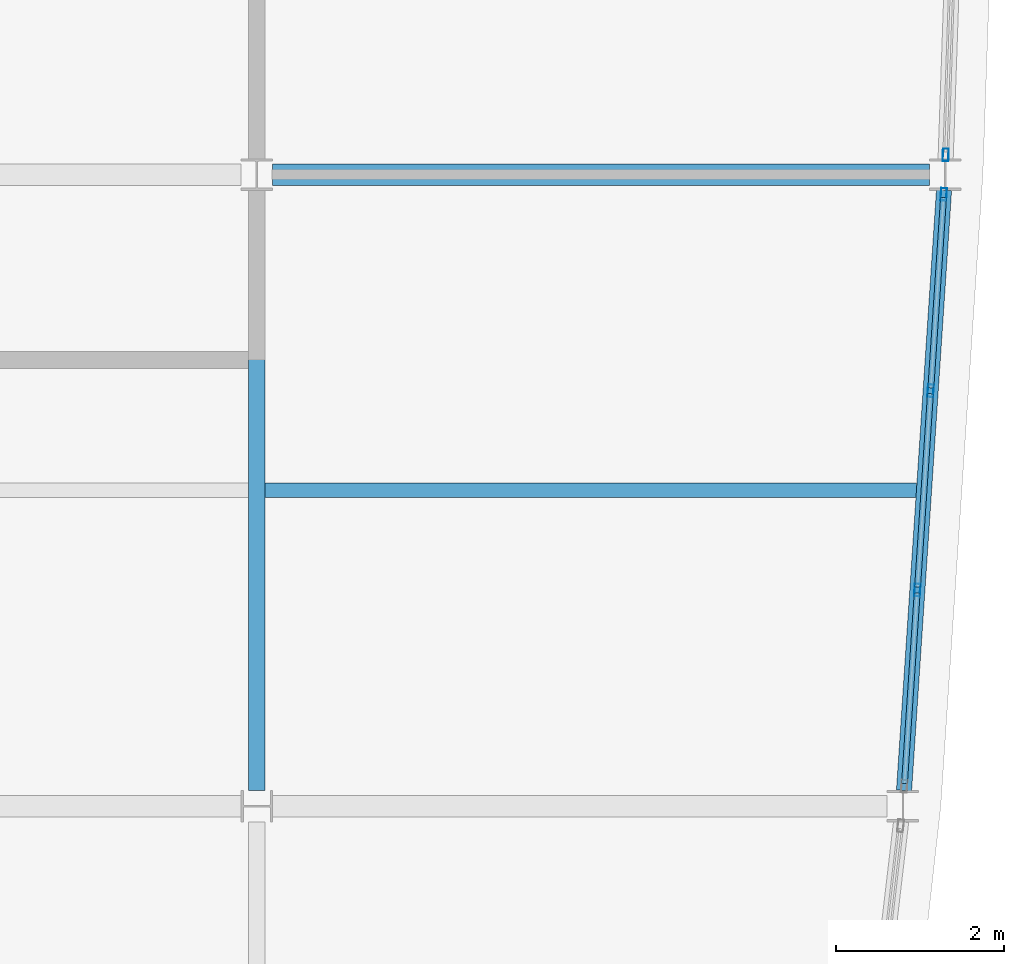
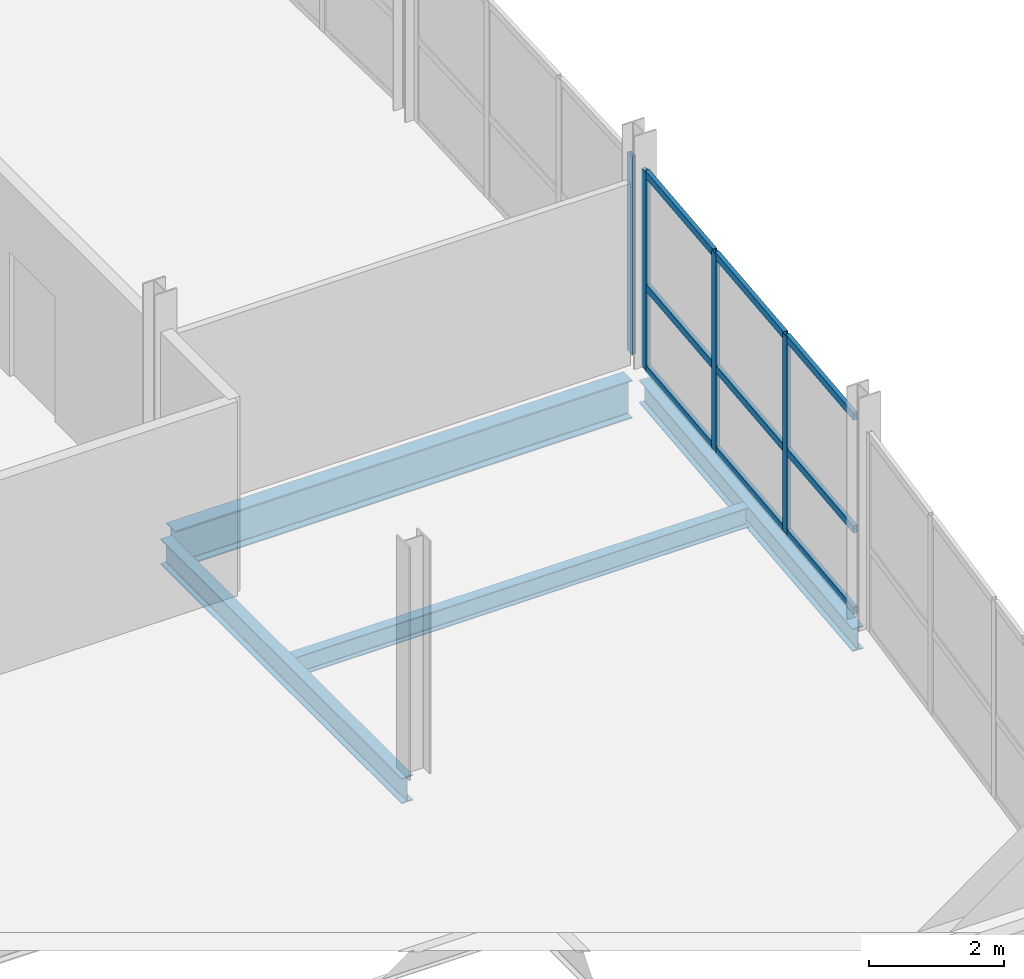
# One storey, part 3 of 20: 13 members, 4 beams, 2 elements without a shape of their own.
"""IFC4 building model written with IfcOpenShell, lengths in metres."""

from ifc_helpers import new_model, si_unit, direction, frame, origin, origin_2d, place, context, subcontext, project, spatial, hollow_rectangle, i_section, extrude, material, layer, layer_set, material_profile, profile_set, type_object, element, aggregate, save


model = new_model("IFC4")

# Units and contexts
model_context = context("Model", 3, precision=1e-05, world=origin(), true_north=direction((0.0, 1.0)))
body_context = subcontext(model_context, "Body", "Model", "MODEL_VIEW")
ifc_project = project(units=[si_unit("LENGTHUNIT", "METRE"), si_unit("AREAUNIT", "SQUARE_METRE"), si_unit("VOLUMEUNIT", "CUBIC_METRE"), si_unit("PLANEANGLEUNIT", "RADIAN"), si_unit("MASSUNIT", "GRAM", prefix="KILO")], contexts=[model_context])

# Site, building, storey
site_placement = place(None, origin())
site = spatial("IfcSite", under=ifc_project, at=site_placement, CompositionType="ELEMENT")
building_placement = place(site_placement, origin())
building = spatial("IfcBuilding", under=site, at=building_placement, Name="Quillay Park Conservatory", CompositionType="ELEMENT")
storey_placement = place(building_placement, frame((0.0, 0.0, 26.699951171875)))
storey = spatial("IfcBuildingStorey", under=building, at=storey_placement, Name="L06", CompositionType="ELEMENT", Elevation=26.699951171875)

# Beam
ifc_material_1 = material(Name="Steel ASTM A992 Grade 50", Category="steel")
ifc_material_profile_1 = material_profile(ifc_material_1, i_section(OverallWidth=0.172119140625, OverallDepth=0.35791015625, WebThickness=0.0078125, FlangeThickness=0.01318359375, FilletRadius=0.010986328125, at=origin_2d()), Name="W360x57")
ifc_profile_set_1 = profile_set([ifc_material_profile_1], Name="Steel ASTM A992 Grade 50")
beam_type_1 = type_object("IfcBeamType", Name="COMPOSITE FLOOR JOIST W360 X57", PredefinedType="JOIST", material=ifc_profile_set_1)
beam_1_placement = place(storey_placement, frame((19.845947265625, 74.25, -0.39892578125), z_axis=(1.0, 0.0, 0.0), x_axis=(0.0, 1.0, 0.0)))
element("IfcBeam", 1, at=beam_1_placement, inside=storey, type_object=beam_type_1, Name="L06 beam BM-J-0482", PredefinedType="JOIST", context=body_context, shape_type="SweptSolid", body=[
    extrude(i_section(OverallWidth=0.172119140625, OverallDepth=0.35791015625, WebThickness=0.0078125, FlangeThickness=0.01318359375, FilletRadius=0.010986328125, at=origin_2d()), origin(), (0.0, 0.0, 1.0), 7.739013671875),
])

# Curtain wall, members
ifc_material_2 = material(Name="Thermally Broken Anodised Aluminium 6063-T6", Category="aluminium")
ifc_layer = layer(ifc_material_2, 0.199951171875)
ifc_layer_set = layer_set([ifc_layer], Name="UNITISED CURTAIN WALL HERBARIUM (Thermally Broken Anodised Aluminium 6063-T6)")
curtain_wall_type = type_object("IfcCurtainWallType", Name="UNITISED CURTAIN WALL HERBARIUM", PredefinedType="USERDEFINED", material=ifc_layer_set)
curtain_wall_1_placement = place(storey_placement, origin())
curtain_wall_1 = element("IfcCurtainWall", 2, at=curtain_wall_1_placement, inside=storey, type_object=curtain_wall_type, Name="L06 Unitised Curtain Wall 059", ObjectType="UNITISED CURTAIN WALL", PredefinedType="USERDEFINED")
ifc_material_3 = material(Name="Thermally Broken Anodised Aluminium 6063-T6", Category="aluminium")
ifc_material_profile_2 = material_profile(ifc_material_3, hollow_rectangle(XDim=0.070068359375, YDim=0.14990234375, WallThickness=0.00341796875, at=origin_2d()), Name="AL70x150x3.5")
ifc_profile_set_2 = profile_set([ifc_material_profile_2], Name="Thermally Broken Anodised Aluminium 6063-T6")
member_type_1 = type_object("IfcMemberType", Name="CURTAIN WALL MULLION 70 X150", PredefinedType="MULLION", material=ifc_profile_set_2)
member_1_placement = place(storey_placement, frame((27.909423828125, 77.765380859375, 0.0), z_axis=(0.0, 0.0, 1.0), x_axis=(0.997785033503, -0.0665208758, 0.0)))
member_1 = element("IfcMember", 3, at=member_1_placement, type_object=member_type_1, Name="CW-T2 mullion 1", PredefinedType="MULLION", context=body_context, shape_type="SweptSolid", body=[
    extrude(hollow_rectangle(XDim=0.070068359375, YDim=0.14990234375, WallThickness=0.00341796875, at=origin_2d()), origin(), (0.0, 0.0, 1.0), 3.569091796875),
])
member_2_placement = place(storey_placement, frame((27.75390625, 75.433349609375, 0.0), z_axis=(0.0, 0.0, 1.0), x_axis=(0.997785033503, -0.0665208758, 0.0)))
member_2 = element("IfcMember", 4, at=member_2_placement, type_object=member_type_1, Name="CW-T2 mullion 2", PredefinedType="MULLION", context=body_context, shape_type="SweptSolid", body=[
    extrude(hollow_rectangle(XDim=0.070068359375, YDim=0.14990234375, WallThickness=0.00341796875, at=origin_2d()), origin(), (0.0, 0.0, 1.0), 3.569091796875),
])
member_3_placement = place(storey_placement, frame((27.59619140625, 73.066650390625, 0.0), z_axis=(0.0, 0.0, 1.0), x_axis=(0.997785033503, -0.0665208758, 0.0)))
member_3 = element("IfcMember", 5, at=member_3_placement, type_object=member_type_1, Name="CW-T2 mullion 3", PredefinedType="MULLION", context=body_context, shape_type="SweptSolid", body=[
    extrude(hollow_rectangle(XDim=0.070068359375, YDim=0.14990234375, WallThickness=0.00341796875, at=origin_2d()), origin(), (0.0, 0.0, 1.0), 3.569091796875),
])

# Curtain wall, member
curtain_wall_2_placement = place(storey_placement, origin())
curtain_wall_2 = element("IfcCurtainWall", 6, at=curtain_wall_2_placement, inside=storey, type_object=curtain_wall_type, Name="L06 Unitised Curtain Wall 060", ObjectType="UNITISED CURTAIN WALL", PredefinedType="USERDEFINED")
member_4_placement = place(storey_placement, frame((27.93310546875, 78.23486328125, 0.0), z_axis=(0.0, 0.0, 1.0), x_axis=(0.999397310446, -0.034713338537, 0.0)))
member_4 = element("IfcMember", 7, at=member_4_placement, type_object=member_type_1, Name="CW-T2 mullion 4", PredefinedType="MULLION", context=body_context, shape_type="SweptSolid", body=[
    extrude(hollow_rectangle(XDim=0.070068359375, YDim=0.14990234375, WallThickness=0.00341796875, at=origin_2d()), origin(), (0.0, 0.0, 1.0), 3.569091796875),
])
aggregate(curtain_wall_2, [member_4])

# Member
ifc_material_4 = material(Name="Thermally Broken Anodised Aluminium 6063-T6", Category="aluminium")
ifc_material_profile_3 = material_profile(ifc_material_4, hollow_rectangle(XDim=0.070068359375, YDim=0.1298828125, WallThickness=0.003173828125, at=origin_2d()), Name="AL70x130x3.2")
ifc_profile_set_3 = profile_set([ifc_material_profile_3], Name="Thermally Broken Anodised Aluminium 6063-T6")
member_type_2 = type_object("IfcMemberType", Name="CURTAIN WALL TRANSOM 70 X130", PredefinedType="USERDEFINED", material=ifc_profile_set_3)
member_5_placement = place(storey_placement, frame((27.906982421875, 77.73046875, 0.03515625), z_axis=(-0.066447531676, -0.997789920542, 0.0), x_axis=(0.997789920542, -0.066447531676, 0.0)))
member_5 = element("IfcMember", 8, at=member_5_placement, type_object=member_type_2, Name="CW-T2 transom 1.1", ObjectType="TRANSOM", PredefinedType="USERDEFINED", context=body_context, shape_type="SweptSolid", body=[
    extrude(hollow_rectangle(XDim=0.070068359375, YDim=0.1298828125, WallThickness=0.003173828125, at=origin_2d()), origin(), (0.0, 0.0, 1.0), 2.26708984375),
])

member_6_placement = place(storey_placement, frame((27.906982421875, 77.73046875, 1.4990234375), z_axis=(-0.066447531676, -0.997789920542, 0.0), x_axis=(0.997789920542, -0.066447531676, 0.0)))
member_6 = element("IfcMember", 9, at=member_6_placement, type_object=member_type_2, Name="CW-T2 transom 1.2", ObjectType="TRANSOM", PredefinedType="USERDEFINED", context=body_context, shape_type="SweptSolid", body=[
    extrude(hollow_rectangle(XDim=0.070068359375, YDim=0.1298828125, WallThickness=0.003173828125, at=origin_2d()), origin(), (0.0, 0.0, 1.0), 2.26708984375),
])

member_7_placement = place(storey_placement, frame((27.906982421875, 77.73046875, 3.533935546875), z_axis=(-0.066447531676, -0.997789920542, 0.0), x_axis=(0.997789920542, -0.066447531676, 0.0)))
member_7 = element("IfcMember", 10, at=member_7_placement, type_object=member_type_2, Name="CW-T2 transom 1.3", ObjectType="TRANSOM", PredefinedType="USERDEFINED", context=body_context, shape_type="SweptSolid", body=[
    extrude(hollow_rectangle(XDim=0.070068359375, YDim=0.1298828125, WallThickness=0.003173828125, at=origin_2d()), origin(), (0.0, 0.0, 1.0), 2.26708984375),
])

member_8_placement = place(storey_placement, frame((27.75146484375, 75.3984375, 0.03515625), z_axis=(-0.066497892916, -0.997786565473, 0.0), x_axis=(0.997786565473, -0.066497892916, 0.0)))
member_8 = element("IfcMember", 11, at=member_8_placement, type_object=member_type_2, Name="CW-T2 transom 2.1", ObjectType="TRANSOM", PredefinedType="USERDEFINED", context=body_context, shape_type="SweptSolid", body=[
    extrude(hollow_rectangle(XDim=0.070068359375, YDim=0.1298828125, WallThickness=0.003173828125, at=origin_2d()), origin(), (0.0, 0.0, 1.0), 2.302001953125),
])

member_9_placement = place(storey_placement, frame((27.75146484375, 75.3984375, 1.4990234375), z_axis=(-0.066497892916, -0.997786565473, 0.0), x_axis=(0.997786565473, -0.066497892916, 0.0)))
member_9 = element("IfcMember", 12, at=member_9_placement, type_object=member_type_2, Name="CW-T2 transom 2.2", ObjectType="TRANSOM", PredefinedType="USERDEFINED", context=body_context, shape_type="SweptSolid", body=[
    extrude(hollow_rectangle(XDim=0.070068359375, YDim=0.1298828125, WallThickness=0.003173828125, at=origin_2d()), origin(), (0.0, 0.0, 1.0), 2.302001953125),
])

member_10_placement = place(storey_placement, frame((27.75146484375, 75.3984375, 3.533935546875), z_axis=(-0.066497892916, -0.997786565473, 0.0), x_axis=(0.997786565473, -0.066497892916, 0.0)))
member_10 = element("IfcMember", 13, at=member_10_placement, type_object=member_type_2, Name="CW-T2 transom 2.3", ObjectType="TRANSOM", PredefinedType="USERDEFINED", context=body_context, shape_type="SweptSolid", body=[
    extrude(hollow_rectangle(XDim=0.070068359375, YDim=0.1298828125, WallThickness=0.003173828125, at=origin_2d()), origin(), (0.0, 0.0, 1.0), 2.302001953125),
])

member_11_placement = place(storey_placement, frame((27.59375, 73.031494140625, 0.03515625), z_axis=(-0.066554749564, -0.997782774611, 0.0), x_axis=(0.997782774611, -0.066554749564, 0.0)))
member_11 = element("IfcMember", 14, at=member_11_placement, type_object=member_type_2, Name="CW-T2 transom 3.1", ObjectType="TRANSOM", PredefinedType="USERDEFINED", context=body_context, shape_type="SweptSolid", body=[
    extrude(hollow_rectangle(XDim=0.070068359375, YDim=0.1298828125, WallThickness=0.003173828125, at=origin_2d()), origin(), (0.0, 0.0, 1.0), 2.26708984375),
])

member_12_placement = place(storey_placement, frame((27.59375, 73.031494140625, 1.4990234375), z_axis=(-0.066554749564, -0.997782774611, 0.0), x_axis=(0.997782774611, -0.066554749564, 0.0)))
member_12 = element("IfcMember", 15, at=member_12_placement, type_object=member_type_2, Name="CW-T2 transom 3.2", ObjectType="TRANSOM", PredefinedType="USERDEFINED", context=body_context, shape_type="SweptSolid", body=[
    extrude(hollow_rectangle(XDim=0.070068359375, YDim=0.1298828125, WallThickness=0.003173828125, at=origin_2d()), origin(), (0.0, 0.0, 1.0), 2.26708984375),
])

member_13_placement = place(storey_placement, frame((27.59375, 73.031494140625, 3.533935546875), z_axis=(-0.066554749564, -0.997782774611, 0.0), x_axis=(0.997782774611, -0.066554749564, 0.0)))
member_13 = element("IfcMember", 16, at=member_13_placement, type_object=member_type_2, Name="CW-T2 transom 3.3", ObjectType="TRANSOM", PredefinedType="USERDEFINED", context=body_context, shape_type="SweptSolid", body=[
    extrude(hollow_rectangle(XDim=0.070068359375, YDim=0.1298828125, WallThickness=0.003173828125, at=origin_2d()), origin(), (0.0, 0.0, 1.0), 2.26708984375),
])

aggregate(curtain_wall_1, [member_1, member_2, member_3, member_5, member_6, member_7, member_8, member_9, member_10, member_11, member_12, member_13])

# Beams
ifc_material_5 = material(Name="Steel ASTM A992 Grade 50", Category="steel")
ifc_material_profile_4 = material_profile(ifc_material_5, i_section(OverallWidth=0.179931640625, OverallDepth=0.4130859375, WebThickness=0.009765625, FlangeThickness=0.01611328125, FilletRadius=0.011962890625, at=origin_2d()), Name="W410x74")
ifc_profile_set_4 = profile_set([ifc_material_profile_4], Name="Steel ASTM A992 Grade 50")
beam_type_2 = type_object("IfcBeamType", Name="PERIMETER SPANDREL BEAM W410 X74", PredefinedType="SPANDREL", material=ifc_profile_set_4)
beam_2_placement = place(storey_placement, frame((27.4375, 70.685546875, -0.426513671875), z_axis=(0.066496330788, 0.99778666958, 0.0), x_axis=(-0.99778666958, 0.066496330788, 0.0)))
element("IfcBeam", 17, at=beam_2_placement, inside=storey, type_object=beam_type_2, Name="L06 beam BM-SPE-0478", PredefinedType="SPANDREL", context=body_context, shape_type="SweptSolid", body=[
    extrude(i_section(OverallWidth=0.179931640625, OverallDepth=0.4130859375, WebThickness=0.009765625, FlangeThickness=0.01611328125, FilletRadius=0.011962890625, at=origin_2d()), origin(), (0.0, 0.0, 1.0), 7.144775390625),
])
ifc_material_6 = material(Name="Steel ASTM A992 Grade 50", Category="steel")
ifc_material_profile_5 = material_profile(ifc_material_6, i_section(OverallWidth=0.19189453125, OverallDepth=0.462890625, WebThickness=0.010498046875, FlangeThickness=0.017578125, FilletRadius=0.012939453125, at=origin_2d()), Name="W460x89")
ifc_profile_set_5 = profile_set([ifc_material_profile_5], Name="Steel ASTM A992 Grade 50")
beam_type_3 = type_object("IfcBeamType", Name="PRIMARY FLOOR GIRDER W460 X89", PredefinedType="BEAM", material=ifc_profile_set_5)
beam_3_placement = place(storey_placement, frame((19.75, 70.68701171875, -0.451416015625), z_axis=(0.0, 1.0, 0.0), x_axis=(-1.0, 0.0, 0.0)))
element("IfcBeam", 18, at=beam_3_placement, inside=storey, type_object=beam_type_3, Name="L06 beam BM-GNS-0480", PredefinedType="BEAM", context=body_context, shape_type="SweptSolid", body=[
    extrude(i_section(OverallWidth=0.19189453125, OverallDepth=0.462890625, WebThickness=0.010498046875, FlangeThickness=0.017578125, FilletRadius=0.012939453125, at=origin_2d()), origin(), (0.0, 0.0, 1.0), 7.126953125),
])
ifc_material_7 = material(Name="Steel ASTM A992 Grade 50", Category="steel")
ifc_material_profile_6 = material_profile(ifc_material_7, i_section(OverallWidth=0.256103515625, OverallDepth=0.693115234375, WebThickness=0.014404296875, FlangeThickness=0.023681640625, FilletRadius=0.01611328125, at=origin_2d()), Name="W690x170")
ifc_profile_set_6 = profile_set([ifc_material_profile_6], Name="Steel ASTM A992 Grade 50")
beam_type_4 = type_object("IfcBeamType", Name="PRIMARY FLOOR GIRDER W690 X170", PredefinedType="BEAM", material=ifc_profile_set_6)
beam_4_placement = place(storey_placement, frame((19.93701171875, 78.0, -0.56640625), z_axis=(1.0, 0.0, 0.0), x_axis=(0.0, 1.0, 0.0)))
element("IfcBeam", 19, at=beam_4_placement, inside=storey, type_object=beam_type_4, Name="L06 beam BM-HB-0456", PredefinedType="BEAM", context=body_context, shape_type="SweptSolid", body=[
    extrude(i_section(OverallWidth=0.256103515625, OverallDepth=0.693115234375, WebThickness=0.014404296875, FlangeThickness=0.023681640625, FilletRadius=0.01611328125, at=origin_2d()), origin(), (0.0, 0.0, 1.0), 7.801025390625),
])

save(model, "model.ifc")
